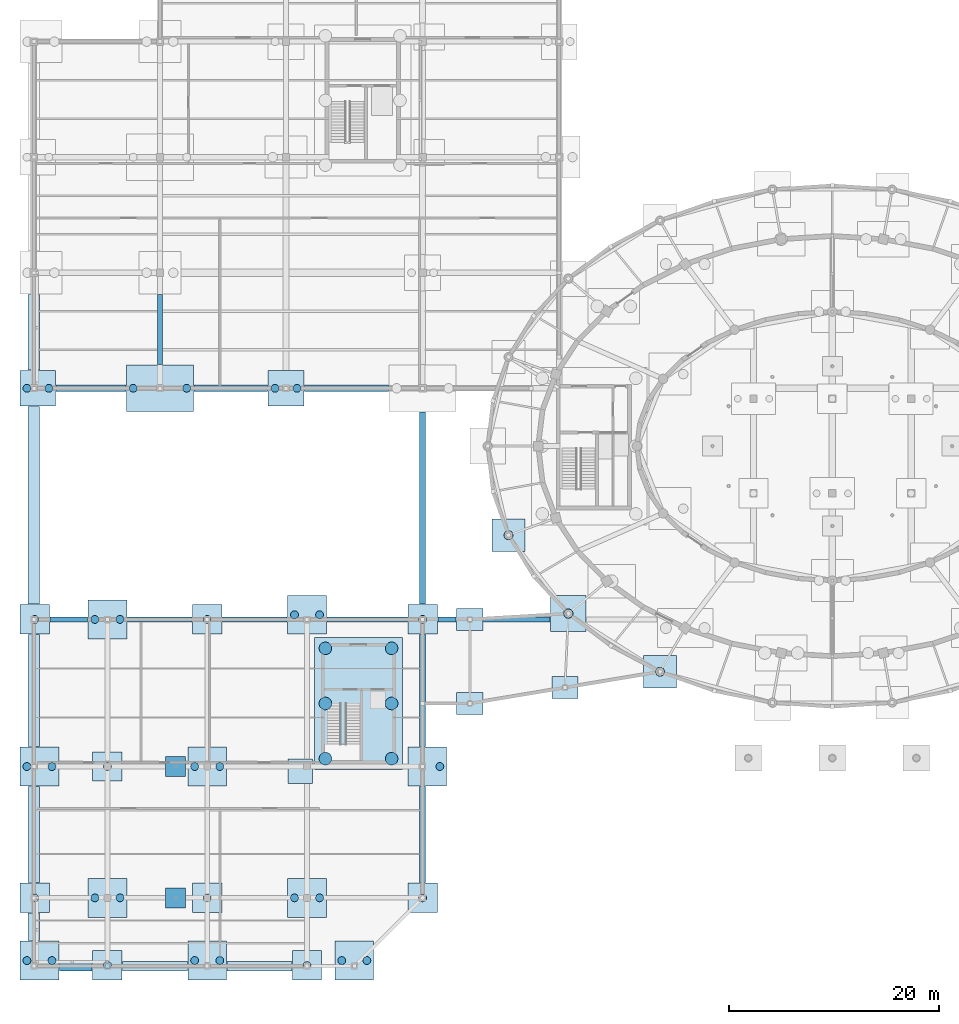
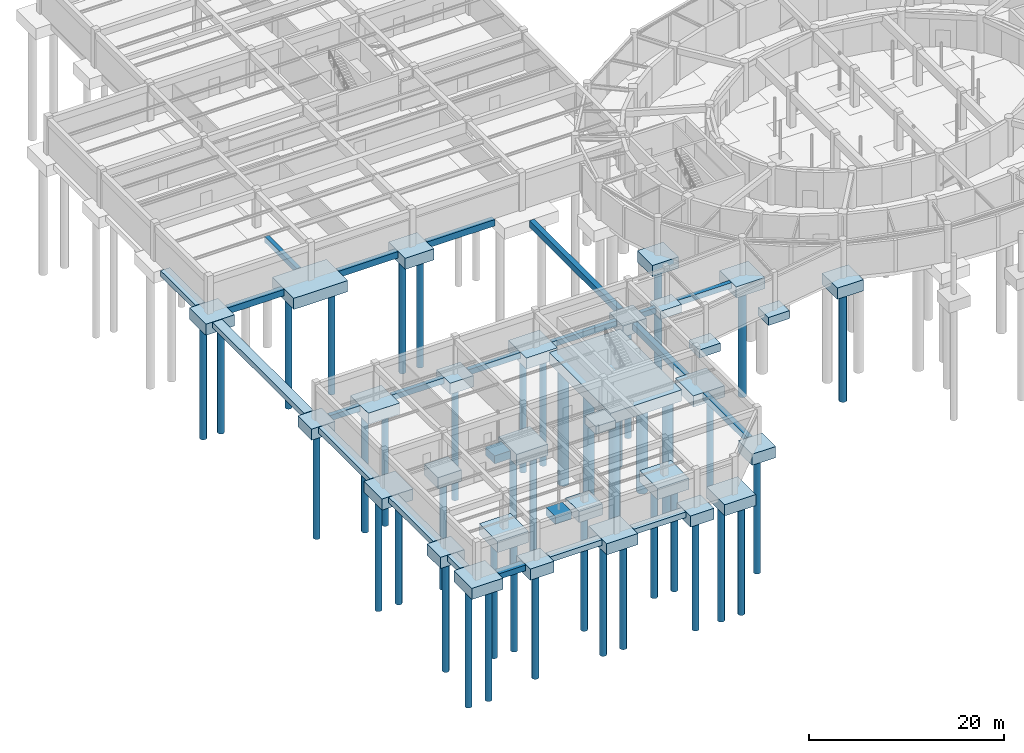
# One storey, part 1 of 42: 53 footings, 43 piles.
"""IFC4 building model written with IfcOpenShell, lengths in metres."""

from ifc_helpers import new_model, si_unit, direction, frame, origin, origin_2d, place, context, subcontext, project, spatial, polyline, rectangle, circle, outline, extrude, material, material_profile, profile_set, type_object, element, save


model = new_model("IFC4")

# Units and contexts
model_context = context("Model", 3, precision=1e-05, world=origin(), true_north=direction((0.0, 1.0)))
body_context = subcontext(model_context, "Body", "Model", "MODEL_VIEW")
ifc_project = project(units=[si_unit("LENGTHUNIT", "METRE"), si_unit("AREAUNIT", "SQUARE_METRE"), si_unit("VOLUMEUNIT", "CUBIC_METRE"), si_unit("PLANEANGLEUNIT", "RADIAN"), si_unit("MASSUNIT", "GRAM", prefix="KILO")], contexts=[model_context])

# Site, building, storey
site_placement = place(None, origin())
site = spatial("IfcSite", under=ifc_project, at=site_placement, CompositionType="ELEMENT")
building_placement = place(site_placement, origin())
building = spatial("IfcBuilding", under=site, at=building_placement, Name="Tarnveldt Headland Concert Hall", CompositionType="ELEMENT")
storey_placement = place(building_placement, frame((0.0, 0.0, -4.800048828125)))
storey = spatial("IfcBuildingStorey", under=building, at=storey_placement, Name="B1", CompositionType="ELEMENT", Elevation=-4.800048828125)

# Footings
ifc_material = material(Name="Concrete C40/50", Category="concrete")
footing_type_1 = type_object("IfcFootingType", Name="FB-01", PredefinedType="FOOTING_BEAM", material=ifc_material)
footing_1_placement = place(storey_placement, frame((0.0, 0.0, -0.699951171875)))
element("IfcFooting", 1, at=footing_1_placement, inside=storey, type_object=footing_type_1, Name="Foundation tie beam 4", PredefinedType="FOOTING_BEAM", context=body_context, shape_type="SweptSolid", body=[
    extrude(outline(polyline([(12.60009765625, 37.75), (12.60009765625, 38.25), (9.030029296875, 38.25), (9.030029296875, 37.75), (12.60009765625, 37.75)])), origin(), (0.0, 0.0, 1.0), 0.699951171875),
])
footing_2_placement = place(storey_placement, frame((0.0, 0.0, -0.699951171875)))
element("IfcFooting", 2, at=footing_2_placement, inside=storey, type_object=footing_type_1, Name="Foundation tie beam 5", PredefinedType="FOOTING_BEAM", context=body_context, shape_type="SweptSolid", body=[
    extrude(outline(polyline([(22.550048828125, 37.75), (22.550048828125, 38.25), (16.39990234375, 38.25), (16.39990234375, 37.75), (22.550048828125, 37.75)])), origin(), (0.0, 0.0, 1.0), 0.699951171875),
])
footing_3_placement = place(storey_placement, frame((0.0, 0.0, -0.699951171875)))
element("IfcFooting", 3, at=footing_3_placement, inside=storey, type_object=footing_type_1, Name="Foundation tie beam 6", PredefinedType="FOOTING_BEAM", context=body_context, shape_type="SweptSolid", body=[
    extrude(outline(polyline([(31.60009765625, 37.75), (31.60009765625, 38.25), (25.449951171875, 38.25), (25.449951171875, 37.75), (31.60009765625, 37.75)])), origin(), (0.0, 0.0, 1.0), 0.699951171875),
])
footing_4_placement = place(storey_placement, frame((0.0, 0.0, -0.699951171875)))
element("IfcFooting", 4, at=footing_4_placement, inside=storey, type_object=footing_type_1, Name="Foundation tie beam 7", PredefinedType="FOOTING_BEAM", context=body_context, shape_type="SweptSolid", body=[
    extrude(outline(polyline([(43.050048828125, 37.75), (43.050048828125, 38.25), (35.39990234375, 38.25), (35.39990234375, 37.75), (43.050048828125, 37.75)])), origin(), (0.0, 0.0, 1.0), 0.699951171875),
])
footing_5_placement = place(storey_placement, frame((0.0, 0.0, -0.699951171875)))
element("IfcFooting", 5, at=footing_5_placement, inside=storey, type_object=footing_type_1, Name="Foundation tie beam 8", PredefinedType="FOOTING_BEAM", context=body_context, shape_type="SweptSolid", body=[
    extrude(outline(polyline([(47.699951171875, 37.75), (47.699951171875, 38.25), (45.949951171875, 38.25), (45.949951171875, 37.75), (47.699951171875, 37.75)])), origin(), (0.0, 0.0, 1.0), 0.699951171875),
])
footing_6_placement = place(storey_placement, frame((0.0, 0.0, -0.699951171875)))
element("IfcFooting", 6, at=footing_6_placement, inside=storey, type_object=footing_type_1, Name="Foundation tie beam 9", PredefinedType="FOOTING_BEAM", context=body_context, shape_type="SweptSolid", body=[
    extrude(outline(polyline([(56.623779296875, 37.75), (56.623779296875, 38.25), (50.300048828125, 38.25), (50.300048828125, 37.75), (56.623779296875, 37.75)])), origin(), (0.0, 0.0, 1.0), 0.699951171875),
])
footing_7_placement = place(storey_placement, frame((0.0, 0.0, -0.699951171875)))
element("IfcFooting", 7, at=footing_7_placement, inside=storey, type_object=footing_type_1, Name="Foundation strip beam 30", PredefinedType="FOOTING_BEAM", context=body_context, shape_type="SweptSolid", body=[
    extrude(outline(polyline([(19.75, 62.25), (19.75, 68.949951171875), (19.25, 68.949951171875), (19.25, 62.25), (19.75, 62.25)])), origin(), (0.0, 0.0, 1.0), 0.699951171875),
])
footing_type_2 = type_object("IfcFootingType", Name="FB-02", PredefinedType="FOOTING_BEAM", material=ifc_material)
footing_8_placement = place(storey_placement, frame((0.0, 0.0, -0.800048828125)))
element("IfcFooting", 8, at=footing_8_placement, inside=storey, type_object=footing_type_2, Name="Foundation tie beam 14", PredefinedType="FOOTING_BEAM", context=body_context, shape_type="SweptSolid", body=[
    extrude(outline(polyline([(16.25, 59.699951171875), (16.25, 60.300048828125), (9.6298828125, 60.300048828125), (9.6298828125, 59.699951171875), (16.25, 59.699951171875)])), origin(), (0.0, 0.0, 1.0), 0.800048828125),
])
footing_9_placement = place(storey_placement, frame((0.0, 0.0, -0.800048828125)))
element("IfcFooting", 9, at=footing_9_placement, inside=storey, type_object=footing_type_2, Name="Foundation tie beam 15", PredefinedType="FOOTING_BEAM", context=body_context, shape_type="SweptSolid", body=[
    extrude(outline(polyline([(29.75, 59.699951171875), (29.75, 60.300048828125), (22.75, 60.300048828125), (22.75, 59.699951171875), (29.75, 59.699951171875)])), origin(), (0.0, 0.0, 1.0), 0.800048828125),
])
footing_10_placement = place(storey_placement, frame((0.0, 0.0, -0.800048828125)))
element("IfcFooting", 10, at=footing_10_placement, inside=storey, type_object=footing_type_2, Name="Foundation tie beam 16", PredefinedType="FOOTING_BEAM", context=body_context, shape_type="SweptSolid", body=[
    extrude(outline(polyline([(41.25, 59.699951171875), (41.25, 60.300048828125), (33.25, 60.300048828125), (33.25, 59.699951171875), (41.25, 59.699951171875)])), origin(), (0.0, 0.0, 1.0), 0.800048828125),
])
footing_11_placement = place(storey_placement, frame((0.0, 0.0, -0.800048828125)))
element("IfcFooting", 11, at=footing_11_placement, inside=storey, type_object=footing_type_2, Name="Foundation strip beam 35", PredefinedType="FOOTING_BEAM", context=body_context, shape_type="SweptSolid", body=[
    extrude(outline(polyline([(44.800048828125, 12.949951171875), (44.800048828125, 22.10009765625), (44.199951171875, 22.10009765625), (44.199951171875, 12.949951171875), (44.800048828125, 12.949951171875)])), origin(), (0.0, 0.0, 1.0), 0.800048828125),
])
footing_12_placement = place(storey_placement, frame((0.0, 0.0, -0.800048828125)))
element("IfcFooting", 12, at=footing_12_placement, inside=storey, type_object=footing_type_2, Name="Foundation strip beam 36", PredefinedType="FOOTING_BEAM", context=body_context, shape_type="SweptSolid", body=[
    extrude(outline(polyline([(44.800048828125, 25.89990234375), (44.800048828125, 36.550048828125), (44.199951171875, 36.550048828125), (44.199951171875, 25.89990234375), (44.800048828125, 25.89990234375)])), origin(), (0.0, 0.0, 1.0), 0.800048828125),
])
footing_13_placement = place(storey_placement, frame((0.0, 0.0, -0.800048828125)))
element("IfcFooting", 13, at=footing_13_placement, inside=storey, type_object=footing_type_2, Name="Foundation strip beam 37", PredefinedType="FOOTING_BEAM", context=body_context, shape_type="SweptSolid", body=[
    extrude(outline(polyline([(44.800048828125, 39.449951171875), (44.800048828125, 57.75), (44.199951171875, 57.75), (44.199951171875, 39.449951171875), (44.800048828125, 39.449951171875)])), origin(), (0.0, 0.0, 1.0), 0.800048828125),
])
footing_type_3 = type_object("IfcFootingType", Name="PC-02", PredefinedType="PILE_CAP", material=ifc_material)
for number, where, z_axis, x_axis, name in (
    (14, (14.5, 5.080078125, -1.39990234375), (0.0, 0.0, 1.0), (1.0, 0.0, 0.0), "Foundation V4C02"),
    (15, (33.5, 5.080078125, -1.39990234375), (0.0, 0.0, 1.0), (1.0, 0.0, 0.0), "Foundation V4C04"),
    (16, (44.5, 11.5, -1.39990234375), (0.0, 0.0, 1.0), (1.0, 0.0, 0.0), "Foundation V4C06"),
    (17, (44.5, 38.0, -1.39990234375), (0.0, 0.0, 1.0), (1.0, 0.0, 0.0), "Foundation V4C08"),
    (18, (24.0, 38.0, -1.39990234375), (0.0, 0.0, 1.0), (1.0, 0.0, 0.0), "Foundation V4C10"),
    (19, (7.580078125, 38.0, -1.39990234375), (0.0, 0.0, 1.0), (1.0, 0.0, 0.0), "Foundation V4C12"),
    (20, (7.580078125, 11.5, -1.39990234375), (0.0, 0.0, 1.0), (1.0, 0.0, 0.0), "Foundation V4C14"),
    (21, (24.0, 11.5, -1.39990234375), (0.0, 0.0, 1.0), (1.0, 0.0, 0.0), "Foundation V4C16"),
    (22, (14.5, 24.0, -1.39990234375), (0.0, 0.0, 1.0), (1.0, 0.0, 0.0), "Foundation V4C18"),
):
    element("IfcFooting", number, at=place(storey_placement, frame(where, z_axis=z_axis, x_axis=x_axis)), inside=storey, type_object=footing_type_3, Name=name, PredefinedType="PILE_CAP", context=body_context, shape_type="SweptSolid", body=[
        extrude(rectangle(XDim=2.800048828125, YDim=2.800048828125, at=origin_2d()), origin(), (0.0, 0.0, 1.0), 1.39990234375),
    ])
footing_type_4 = type_object("IfcFootingType", Name="PC-03", PredefinedType="PILE_CAP", material=ifc_material)
for number, where, z_axis, x_axis, name in (
    (23, (52.677978515625, 46.017822265625, -1.39990234375), (0.0, 0.0, 1.0), (1.0, 0.0, 0.0), "Foundation V1C11"),
    (24, (67.10009765625, 33.022705078125, -1.39990234375), (0.0, 0.0, 1.0), (1.0, 0.0, 0.0), "Foundation V1C13"),
):
    element("IfcFooting", number, at=place(storey_placement, frame(where, z_axis=z_axis, x_axis=x_axis)), inside=storey, type_object=footing_type_4, Name=name, PredefinedType="PILE_CAP", context=body_context, shape_type="SweptSolid", body=[
        extrude(rectangle(XDim=3.10009765625, YDim=3.10009765625, at=origin_2d()), origin(), (0.0, 0.0, 1.0), 1.39990234375),
    ])
footing_type_5 = type_object("IfcFootingType", Name="PC-04", PredefinedType="PILE_CAP", material=ifc_material)
for number, where, z_axis, x_axis, name in (
    (25, (58.373779296875, 38.558837890625, -1.39990234375), (0.0, 0.0, 1.0), (1.0, 0.0, 0.0), "Foundation V1C12"),
    (26, (7.8798828125, 60.0, -1.39990234375), (0.0, 0.0, 1.0), (1.0, 0.0, 0.0), "Foundation V5C01"),
    (27, (31.5, 60.0, -1.39990234375), (0.0, 0.0, 1.0), (1.0, 0.0, 0.0), "Foundation V5C11"),
):
    element("IfcFooting", number, at=place(storey_placement, frame(where, z_axis=z_axis, x_axis=x_axis)), inside=storey, type_object=footing_type_5, Name=name, PredefinedType="PILE_CAP", context=body_context, shape_type="SweptSolid", body=[
        extrude(rectangle(XDim=3.39990234375, YDim=3.39990234375, at=origin_2d()), origin(), (0.0, 0.0, 1.0), 1.39990234375),
    ])
footing_type_6 = type_object("IfcFootingType", Name="PC-05", PredefinedType="PILE_CAP", material=ifc_material)
for number, where, z_axis, x_axis, name in (
    (28, (8.030029296875, 5.530029296875, -1.39990234375), (0.0, 0.0, 1.0), (1.0, 0.0, 0.0), "Foundation V4C01"),
    (29, (24.0, 5.530029296875, -1.39990234375), (0.0, 0.0, 1.0), (1.0, 0.0, 0.0), "Foundation V4C03"),
    (30, (38.0, 5.530029296875, -1.39990234375), (0.0, 0.0, 1.0), (1.0, 0.0, 0.0), "Foundation V4C05"),
    (31, (44.949951171875, 24.0, -1.39990234375), (0.0, 0.0, 1.0), (1.0, 0.0, 0.0), "Foundation V4C07"),
    (32, (33.5, 38.449951171875, -1.39990234375), (0.0, 0.0, 1.0), (1.0, 0.0, 0.0), "Foundation V4C09"),
    (33, (14.5, 38.0, -1.39990234375), (0.0, 0.0, 1.0), (1.0, 0.0, 0.0), "Foundation V4C11"),
    (34, (8.030029296875, 24.0, -1.39990234375), (0.0, 0.0, 1.0), (1.0, 0.0, 0.0), "Foundation V4C13"),
    (35, (14.5, 11.5, -1.39990234375), (0.0, 0.0, 1.0), (1.0, 0.0, 0.0), "Foundation V4C15"),
    (36, (33.5, 11.5, -1.39990234375), (0.0, 0.0, 1.0), (1.0, 0.0, 0.0), "Foundation V4C17"),
    (37, (24.0, 24.0, -1.39990234375), (0.0, 0.0, 1.0), (1.0, 0.0, 0.0), "Foundation V4C19"),
):
    element("IfcFooting", number, at=place(storey_placement, frame(where, z_axis=z_axis, x_axis=x_axis)), inside=storey, type_object=footing_type_6, Name=name, PredefinedType="PILE_CAP", context=body_context, shape_type="SweptSolid", body=[
        extrude(rectangle(XDim=3.699951171875, YDim=3.699951171875, at=origin_2d()), origin(), (0.0, 0.0, 1.0), 1.39990234375),
    ])
footing_type_7 = type_object("IfcFootingType", Name="PC-12", PredefinedType="PILE_CAP", material=ifc_material)
footing_14_placement = place(storey_placement, frame((19.5, 60.0, -1.39990234375), z_axis=(0.0, 0.0, 1.0), x_axis=(1.0, 0.0, 0.0)))
element("IfcFooting", 38, at=footing_14_placement, inside=storey, type_object=footing_type_7, Name="Foundation V5C05", PredefinedType="PILE_CAP", context=body_context, shape_type="SweptSolid", body=[
    extrude(rectangle(XDim=6.39990234375, YDim=4.39990234375, at=origin_2d()), origin(), (0.0, 0.0, 1.0), 1.39990234375),
])
footing_type_8 = type_object("IfcFootingType", Name="PC-18", PredefinedType="PILE_CAP", material=ifc_material)
footing_15_placement = place(storey_placement, frame((38.39990234375, 30.0, -1.39990234375), z_axis=(0.0, 0.0, 1.0), x_axis=(1.0, 0.0, 0.0)))
element("IfcFooting", 39, at=footing_15_placement, inside=storey, type_object=footing_type_8, Name="Core C5 pile cap", PredefinedType="PILE_CAP", context=body_context, shape_type="SweptSolid", body=[
    extrude(rectangle(XDim=8.39990234375, YDim=12.60009765625, at=origin_2d()), origin(), (0.0, 0.0, 1.0), 1.39990234375),
])
footing_type_9 = type_object("IfcFootingType", Name="PF-01", PredefinedType="PAD_FOOTING", material=ifc_material)
for number, where, z_axis, x_axis, name in (
    (40, (21.0, 11.5, -1.0), (0.0, 0.0, 1.0), (1.0, 0.0, 0.0), "Chamber balcony pad footing 1"),
    (41, (21.0, 24.0, -1.0), (0.0, 0.0, 1.0), (1.0, 0.0, 0.0), "Chamber balcony pad footing 2"),
):
    element("IfcFooting", number, at=place(storey_placement, frame(where, z_axis=z_axis, x_axis=x_axis)), inside=storey, type_object=footing_type_9, Name=name, PredefinedType="PAD_FOOTING", context=body_context, shape_type="SweptSolid", body=[
        extrude(rectangle(XDim=1.89990234375, YDim=1.89990234375, at=origin_2d()), origin(), (0.0, 0.0, 1.0), 1.0),
    ])
footing_type_10 = type_object("IfcFootingType", Name="PF-03", PredefinedType="PAD_FOOTING", material=ifc_material)
footing_16_placement = place(storey_placement, frame((32.85009765625, 23.550048828125, -1.0), z_axis=(0.0, 0.0, 1.0), x_axis=(1.0, 0.0, 0.0)))
element("IfcFooting", 42, at=footing_16_placement, inside=storey, type_object=footing_type_10, Name="Foundation V4C20", PredefinedType="PAD_FOOTING", context=body_context, shape_type="SweptSolid", body=[
    extrude(rectangle(XDim=2.300048828125, YDim=2.300048828125, at=origin_2d()), origin(), (0.0, 0.0, 1.0), 1.0),
])
footing_type_11 = type_object("IfcFootingType", Name="PF-04", PredefinedType="PAD_FOOTING", material=ifc_material)
for number, where, z_axis, x_axis, name in (
    (43, (49.0, 30.0, -1.0), (0.0, 0.0, 1.0), (1.0, 0.0, 0.0), "Foundation V4LK01"),
    (44, (49.0, 38.0, -1.0), (0.0, 0.0, 1.0), (1.0, 0.0, 0.0), "Foundation V4LK02"),
    (45, (58.050048828125, 31.51123046875, -1.0), (0.0, 0.0, 1.0), (1.0, 0.0, 0.0), "Foundation V4LK03"),
):
    element("IfcFooting", number, at=place(storey_placement, frame(where, z_axis=z_axis, x_axis=x_axis)), inside=storey, type_object=footing_type_11, Name=name, PredefinedType="PAD_FOOTING", context=body_context, shape_type="SweptSolid", body=[
        extrude(rectangle(XDim=2.5, YDim=2.10009765625, at=origin_2d()), origin(), (0.0, 0.0, 1.0), 1.0),
    ])

# Piles
ifc_material_profile_1 = material_profile(ifc_material, circle(Radius=0.60009765625, at=origin_2d()), Name="BORED PILE D1200", Category="concrete")
ifc_profile_set_1 = profile_set([ifc_material_profile_1], Name="Concrete C40/50")
pile_type_1 = type_object("IfcPileType", Name="PL-1200", PredefinedType="BORED", material=ifc_profile_set_1)
for number, where, z_axis, x_axis, name in (
    (46, (35.25, 24.75, -1.300048828125), (0.0, 0.0, -1.0), (1.0, 0.0, 0.0), "Bored pile PILE-C5-01"),
    (47, (41.550048828125, 24.75, -1.300048828125), (0.0, 0.0, -1.0), (1.0, 0.0, 0.0), "Bored pile PILE-C5-02"),
    (48, (35.25, 30.0, -1.300048828125), (0.0, 0.0, -1.0), (1.0, 0.0, 0.0), "Bored pile PILE-C5-03"),
    (49, (41.550048828125, 30.0, -1.300048828125), (0.0, 0.0, -1.0), (1.0, 0.0, 0.0), "Bored pile PILE-C5-04"),
    (50, (35.25, 35.25, -1.300048828125), (0.0, 0.0, -1.0), (1.0, 0.0, 0.0), "Bored pile PILE-C5-05"),
    (51, (41.550048828125, 35.25, -1.300048828125), (0.0, 0.0, -1.0), (1.0, 0.0, 0.0), "Bored pile PILE-C5-06"),
):
    element("IfcPile", number, at=place(storey_placement, frame(where, z_axis=z_axis, x_axis=x_axis)), inside=storey, type_object=pile_type_1, Name=name, PredefinedType="BORED", context=body_context, shape_type="SweptSolid", body=[
        extrude(circle(Radius=0.60009765625, at=origin_2d()), origin(), (0.0, 0.0, 1.0), 14.800048828125),
    ])
ifc_material_profile_2 = material_profile(ifc_material, circle(Radius=0.375, at=origin_2d()), Name="BORED PILE D750", Category="concrete")
ifc_profile_set_2 = profile_set([ifc_material_profile_2], Name="Concrete C40/50")
pile_type_2 = type_object("IfcPileType", Name="PL-750", PredefinedType="BORED", material=ifc_profile_set_2)
for number, where, z_axis, x_axis, name in (
    (52, (6.8349609375, 5.530029296875, -1.300048828125), (0.0, 0.0, -1.0), (1.0, 0.0, 0.0), "Bored pile PILE-V4C01-01"),
    (53, (9.22509765625, 5.530029296875, -1.300048828125), (0.0, 0.0, -1.0), (1.0, 0.0, 0.0), "Bored pile PILE-V4C01-02"),
):
    element("IfcPile", number, at=place(storey_placement, frame(where, z_axis=z_axis, x_axis=x_axis)), inside=storey, type_object=pile_type_2, Name=name, PredefinedType="BORED", context=body_context, shape_type="SweptSolid", body=[
        extrude(circle(Radius=0.375, at=origin_2d()), origin(), (0.0, 0.0, 1.0), 14.800048828125),
    ])
pile_1_placement = place(storey_placement, frame((14.5, 5.080078125, -1.300048828125), z_axis=(0.0, 0.0, -1.0), x_axis=(1.0, 0.0, 0.0)))
element("IfcPile", 54, at=pile_1_placement, inside=storey, type_object=pile_type_2, Name="Bored pile PILE-V4C02-01", PredefinedType="BORED", context=body_context, shape_type="SweptSolid", body=[
    extrude(circle(Radius=0.375, at=origin_2d()), origin(), (0.0, 0.0, 1.0), 13.60009765625),
])
for number, where, z_axis, x_axis, name in (
    (55, (22.804931640625, 5.530029296875, -1.300048828125), (0.0, 0.0, -1.0), (1.0, 0.0, 0.0), "Bored pile PILE-V4C03-01"),
    (56, (25.195068359375, 5.530029296875, -1.300048828125), (0.0, 0.0, -1.0), (1.0, 0.0, 0.0), "Bored pile PILE-V4C03-02"),
):
    element("IfcPile", number, at=place(storey_placement, frame(where, z_axis=z_axis, x_axis=x_axis)), inside=storey, type_object=pile_type_2, Name=name, PredefinedType="BORED", context=body_context, shape_type="SweptSolid", body=[
        extrude(circle(Radius=0.375, at=origin_2d()), origin(), (0.0, 0.0, 1.0), 13.89990234375),
    ])
pile_2_placement = place(storey_placement, frame((33.5, 5.080078125, -1.300048828125), z_axis=(0.0, 0.0, -1.0), x_axis=(1.0, 0.0, 0.0)))
element("IfcPile", 57, at=pile_2_placement, inside=storey, type_object=pile_type_2, Name="Bored pile PILE-V4C04-01", PredefinedType="BORED", context=body_context, shape_type="SweptSolid", body=[
    extrude(circle(Radius=0.375, at=origin_2d()), origin(), (0.0, 0.0, 1.0), 14.199951171875),
])
for number, where, z_axis, x_axis, name in (
    (58, (36.804931640625, 5.530029296875, -1.300048828125), (0.0, 0.0, -1.0), (1.0, 0.0, 0.0), "Bored pile PILE-V4C05-01"),
    (59, (39.195068359375, 5.530029296875, -1.300048828125), (0.0, 0.0, -1.0), (1.0, 0.0, 0.0), "Bored pile PILE-V4C05-02"),
):
    element("IfcPile", number, at=place(storey_placement, frame(where, z_axis=z_axis, x_axis=x_axis)), inside=storey, type_object=pile_type_2, Name=name, PredefinedType="BORED", context=body_context, shape_type="SweptSolid", body=[
        extrude(circle(Radius=0.375, at=origin_2d()), origin(), (0.0, 0.0, 1.0), 14.5),
    ])
pile_3_placement = place(storey_placement, frame((44.5, 11.5, -1.300048828125), z_axis=(0.0, 0.0, -1.0), x_axis=(1.0, 0.0, 0.0)))
element("IfcPile", 60, at=pile_3_placement, inside=storey, type_object=pile_type_2, Name="Bored pile PILE-V4C06-01", PredefinedType="BORED", context=body_context, shape_type="SweptSolid", body=[
    extrude(circle(Radius=0.375, at=origin_2d()), origin(), (0.0, 0.0, 1.0), 14.800048828125),
])
pile_4_placement = place(storey_placement, frame((46.14501953125, 24.0, -1.300048828125), z_axis=(0.0, 0.0, -1.0), x_axis=(1.0, 0.0, 0.0)))
element("IfcPile", 61, at=pile_4_placement, inside=storey, type_object=pile_type_2, Name="Bored pile PILE-V4C07-01", PredefinedType="BORED", context=body_context, shape_type="SweptSolid", body=[
    extrude(circle(Radius=0.375, at=origin_2d()), origin(), (0.0, 0.0, 1.0), 13.60009765625),
])
pile_5_placement = place(storey_placement, frame((44.5, 38.0, -1.300048828125), z_axis=(0.0, 0.0, -1.0), x_axis=(1.0, 0.0, 0.0)))
element("IfcPile", 62, at=pile_5_placement, inside=storey, type_object=pile_type_2, Name="Bored pile PILE-V4C08-01", PredefinedType="BORED", context=body_context, shape_type="SweptSolid", body=[
    extrude(circle(Radius=0.375, at=origin_2d()), origin(), (0.0, 0.0, 1.0), 13.89990234375),
])
for number, where, z_axis, x_axis, name in (
    (63, (32.304931640625, 38.449951171875, -1.300048828125), (0.0, 0.0, -1.0), (1.0, 0.0, 0.0), "Bored pile PILE-V4C09-01"),
    (64, (34.695068359375, 38.449951171875, -1.300048828125), (0.0, 0.0, -1.0), (1.0, 0.0, 0.0), "Bored pile PILE-V4C09-02"),
):
    element("IfcPile", number, at=place(storey_placement, frame(where, z_axis=z_axis, x_axis=x_axis)), inside=storey, type_object=pile_type_2, Name=name, PredefinedType="BORED", context=body_context, shape_type="SweptSolid", body=[
        extrude(circle(Radius=0.375, at=origin_2d()), origin(), (0.0, 0.0, 1.0), 14.199951171875),
    ])
pile_6_placement = place(storey_placement, frame((24.0, 38.0, -1.300048828125), z_axis=(0.0, 0.0, -1.0), x_axis=(1.0, 0.0, 0.0)))
element("IfcPile", 65, at=pile_6_placement, inside=storey, type_object=pile_type_2, Name="Bored pile PILE-V4C10-01", PredefinedType="BORED", context=body_context, shape_type="SweptSolid", body=[
    extrude(circle(Radius=0.375, at=origin_2d()), origin(), (0.0, 0.0, 1.0), 14.5),
])
for number, where, z_axis, x_axis, name in (
    (66, (13.304931640625, 38.0, -1.300048828125), (0.0, 0.0, -1.0), (1.0, 0.0, 0.0), "Bored pile PILE-V4C11-01"),
    (67, (15.695068359375, 38.0, -1.300048828125), (0.0, 0.0, -1.0), (1.0, 0.0, 0.0), "Bored pile PILE-V4C11-02"),
):
    element("IfcPile", number, at=place(storey_placement, frame(where, z_axis=z_axis, x_axis=x_axis)), inside=storey, type_object=pile_type_2, Name=name, PredefinedType="BORED", context=body_context, shape_type="SweptSolid", body=[
        extrude(circle(Radius=0.375, at=origin_2d()), origin(), (0.0, 0.0, 1.0), 14.800048828125),
    ])
pile_7_placement = place(storey_placement, frame((7.580078125, 38.0, -1.300048828125), z_axis=(0.0, 0.0, -1.0), x_axis=(1.0, 0.0, 0.0)))
element("IfcPile", 68, at=pile_7_placement, inside=storey, type_object=pile_type_2, Name="Bored pile PILE-V4C12-01", PredefinedType="BORED", context=body_context, shape_type="SweptSolid", body=[
    extrude(circle(Radius=0.375, at=origin_2d()), origin(), (0.0, 0.0, 1.0), 13.60009765625),
])
for number, where, z_axis, x_axis, name in (
    (69, (6.8349609375, 24.0, -1.300048828125), (0.0, 0.0, -1.0), (1.0, 0.0, 0.0), "Bored pile PILE-V4C13-01"),
    (70, (9.22509765625, 24.0, -1.300048828125), (0.0, 0.0, -1.0), (1.0, 0.0, 0.0), "Bored pile PILE-V4C13-02"),
):
    element("IfcPile", number, at=place(storey_placement, frame(where, z_axis=z_axis, x_axis=x_axis)), inside=storey, type_object=pile_type_2, Name=name, PredefinedType="BORED", context=body_context, shape_type="SweptSolid", body=[
        extrude(circle(Radius=0.375, at=origin_2d()), origin(), (0.0, 0.0, 1.0), 13.89990234375),
    ])
pile_8_placement = place(storey_placement, frame((7.580078125, 11.5, -1.300048828125), z_axis=(0.0, 0.0, -1.0), x_axis=(1.0, 0.0, 0.0)))
element("IfcPile", 71, at=pile_8_placement, inside=storey, type_object=pile_type_2, Name="Bored pile PILE-V4C14-01", PredefinedType="BORED", context=body_context, shape_type="SweptSolid", body=[
    extrude(circle(Radius=0.375, at=origin_2d()), origin(), (0.0, 0.0, 1.0), 14.199951171875),
])
for number, where, z_axis, x_axis, name in (
    (72, (13.304931640625, 11.5, -1.300048828125), (0.0, 0.0, -1.0), (1.0, 0.0, 0.0), "Bored pile PILE-V4C15-01"),
    (73, (15.695068359375, 11.5, -1.300048828125), (0.0, 0.0, -1.0), (1.0, 0.0, 0.0), "Bored pile PILE-V4C15-02"),
):
    element("IfcPile", number, at=place(storey_placement, frame(where, z_axis=z_axis, x_axis=x_axis)), inside=storey, type_object=pile_type_2, Name=name, PredefinedType="BORED", context=body_context, shape_type="SweptSolid", body=[
        extrude(circle(Radius=0.375, at=origin_2d()), origin(), (0.0, 0.0, 1.0), 14.5),
    ])
pile_9_placement = place(storey_placement, frame((24.0, 11.5, -1.300048828125), z_axis=(0.0, 0.0, -1.0), x_axis=(1.0, 0.0, 0.0)))
element("IfcPile", 74, at=pile_9_placement, inside=storey, type_object=pile_type_2, Name="Bored pile PILE-V4C16-01", PredefinedType="BORED", context=body_context, shape_type="SweptSolid", body=[
    extrude(circle(Radius=0.375, at=origin_2d()), origin(), (0.0, 0.0, 1.0), 14.800048828125),
])
for number, where, z_axis, x_axis, name in (
    (75, (32.304931640625, 11.5, -1.300048828125), (0.0, 0.0, -1.0), (1.0, 0.0, 0.0), "Bored pile PILE-V4C17-01"),
    (76, (34.695068359375, 11.5, -1.300048828125), (0.0, 0.0, -1.0), (1.0, 0.0, 0.0), "Bored pile PILE-V4C17-02"),
):
    element("IfcPile", number, at=place(storey_placement, frame(where, z_axis=z_axis, x_axis=x_axis)), inside=storey, type_object=pile_type_2, Name=name, PredefinedType="BORED", context=body_context, shape_type="SweptSolid", body=[
        extrude(circle(Radius=0.375, at=origin_2d()), origin(), (0.0, 0.0, 1.0), 13.60009765625),
    ])
pile_10_placement = place(storey_placement, frame((14.5, 24.0, -1.300048828125), z_axis=(0.0, 0.0, -1.0), x_axis=(1.0, 0.0, 0.0)))
element("IfcPile", 77, at=pile_10_placement, inside=storey, type_object=pile_type_2, Name="Bored pile PILE-V4C18-01", PredefinedType="BORED", context=body_context, shape_type="SweptSolid", body=[
    extrude(circle(Radius=0.375, at=origin_2d()), origin(), (0.0, 0.0, 1.0), 13.89990234375),
])
for number, where, z_axis, x_axis, name in (
    (78, (22.804931640625, 24.0, -1.300048828125), (0.0, 0.0, -1.0), (1.0, 0.0, 0.0), "Bored pile PILE-V4C19-01"),
    (79, (25.195068359375, 24.0, -1.300048828125), (0.0, 0.0, -1.0), (1.0, 0.0, 0.0), "Bored pile PILE-V4C19-02"),
    (80, (6.8349609375, 60.0, -1.300048828125), (0.0, 0.0, -1.0), (1.0, 0.0, 0.0), "Bored pile PILE-V5C01-01"),
    (81, (8.925048828125, 60.0, -1.300048828125), (0.0, 0.0, -1.0), (1.0, 0.0, 0.0), "Bored pile PILE-V5C01-02"),
):
    element("IfcPile", number, at=place(storey_placement, frame(where, z_axis=z_axis, x_axis=x_axis)), inside=storey, type_object=pile_type_2, Name=name, PredefinedType="BORED", context=body_context, shape_type="SweptSolid", body=[
        extrude(circle(Radius=0.375, at=origin_2d()), origin(), (0.0, 0.0, 1.0), 14.199951171875),
    ])
for number, where, z_axis, x_axis, name in (
    (82, (16.955078125, 60.0, -1.300048828125), (0.0, 0.0, -1.0), (1.0, 0.0, 0.0), "Bored pile PILE-V5C05-01"),
    (83, (22.044921875, 60.0, -1.300048828125), (0.0, 0.0, -1.0), (1.0, 0.0, 0.0), "Bored pile PILE-V5C05-02"),
):
    element("IfcPile", number, at=place(storey_placement, frame(where, z_axis=z_axis, x_axis=x_axis)), inside=storey, type_object=pile_type_2, Name=name, PredefinedType="BORED", context=body_context, shape_type="SweptSolid", body=[
        extrude(circle(Radius=0.375, at=origin_2d()), origin(), (0.0, 0.0, 1.0), 13.89990234375),
    ])
for number, where, z_axis, x_axis, name in (
    (84, (30.455078125, 60.0, -1.300048828125), (0.0, 0.0, -1.0), (1.0, 0.0, 0.0), "Bored pile PILE-V5C11-01"),
    (85, (32.544921875, 60.0, -1.300048828125), (0.0, 0.0, -1.0), (1.0, 0.0, 0.0), "Bored pile PILE-V5C11-02"),
):
    element("IfcPile", number, at=place(storey_placement, frame(where, z_axis=z_axis, x_axis=x_axis)), inside=storey, type_object=pile_type_2, Name=name, PredefinedType="BORED", context=body_context, shape_type="SweptSolid", body=[
        extrude(circle(Radius=0.375, at=origin_2d()), origin(), (0.0, 0.0, 1.0), 14.199951171875),
    ])
ifc_material_profile_3 = material_profile(ifc_material, circle(Radius=0.425048828125, at=origin_2d()), Name="BORED PILE D850", Category="concrete")
ifc_profile_set_3 = profile_set([ifc_material_profile_3], Name="Concrete C40/50")
pile_type_3 = type_object("IfcPileType", Name="PL-850", PredefinedType="BORED", material=ifc_profile_set_3)
pile_11_placement = place(storey_placement, frame((52.677978515625, 46.017822265625, -1.300048828125), z_axis=(0.0, 0.0, -1.0), x_axis=(1.0, 0.0, 0.0)))
element("IfcPile", 86, at=pile_11_placement, inside=storey, type_object=pile_type_3, Name="Bored pile PILE-V1C11-01", PredefinedType="BORED", context=body_context, shape_type="SweptSolid", body=[
    extrude(circle(Radius=0.425048828125, at=origin_2d()), origin(), (0.0, 0.0, 1.0), 13.60009765625),
])
pile_12_placement = place(storey_placement, frame((67.10009765625, 33.022705078125, -1.300048828125), z_axis=(0.0, 0.0, -1.0), x_axis=(1.0, 0.0, 0.0)))
element("IfcPile", 87, at=pile_12_placement, inside=storey, type_object=pile_type_3, Name="Bored pile PILE-V1C13-01", PredefinedType="BORED", context=body_context, shape_type="SweptSolid", body=[
    extrude(circle(Radius=0.425048828125, at=origin_2d()), origin(), (0.0, 0.0, 1.0), 14.199951171875),
])
ifc_material_profile_4 = material_profile(ifc_material, circle(Radius=0.449951171875, at=origin_2d()), Name="BORED PILE D900", Category="concrete")
ifc_profile_set_4 = profile_set([ifc_material_profile_4], Name="Concrete C40/50")
pile_type_4 = type_object("IfcPileType", Name="PL-900", PredefinedType="BORED", material=ifc_profile_set_4)
pile_13_placement = place(storey_placement, frame((58.373779296875, 38.558837890625, -1.300048828125), z_axis=(0.0, 0.0, -1.0), x_axis=(1.0, 0.0, 0.0)))
element("IfcPile", 88, at=pile_13_placement, inside=storey, type_object=pile_type_4, Name="Bored pile PILE-V1C12-01", PredefinedType="BORED", context=body_context, shape_type="SweptSolid", body=[
    extrude(circle(Radius=0.449951171875, at=origin_2d()), origin(), (0.0, 0.0, 1.0), 13.89990234375),
])

# Footings
footing_type_12 = type_object("IfcFootingType", Name="SF-01", PredefinedType="STRIP_FOOTING", material=ifc_material)
footing_17_placement = place(storey_placement, frame((0.0, 0.0, -0.699951171875)))
element("IfcFooting", 89, at=footing_17_placement, inside=storey, type_object=footing_type_12, Name="Foundation tie beam 1", PredefinedType="STRIP_FOOTING", context=body_context, shape_type="SweptSolid", body=[
    extrude(outline(polyline([(13.050048828125, 4.550048828125), (13.050048828125, 5.449951171875), (9.929931640625, 5.449951171875), (9.929931640625, 4.550048828125), (13.050048828125, 4.550048828125)])), origin(), (0.0, 0.0, 1.0), 0.699951171875),
])
footing_18_placement = place(storey_placement, frame((0.0, 0.0, -0.699951171875)))
element("IfcFooting", 90, at=footing_18_placement, inside=storey, type_object=footing_type_12, Name="Foundation tie beam 2", PredefinedType="STRIP_FOOTING", context=body_context, shape_type="SweptSolid", body=[
    extrude(outline(polyline([(22.10009765625, 4.550048828125), (22.10009765625, 5.449951171875), (15.949951171875, 5.449951171875), (15.949951171875, 4.550048828125), (22.10009765625, 4.550048828125)])), origin(), (0.0, 0.0, 1.0), 0.699951171875),
])
footing_19_placement = place(storey_placement, frame((0.0, 0.0, -0.699951171875)))
element("IfcFooting", 91, at=footing_19_placement, inside=storey, type_object=footing_type_12, Name="Foundation tie beam 3", PredefinedType="STRIP_FOOTING", context=body_context, shape_type="SweptSolid", body=[
    extrude(outline(polyline([(32.050048828125, 4.550048828125), (32.050048828125, 5.449951171875), (25.89990234375, 5.449951171875), (25.89990234375, 4.550048828125), (32.050048828125, 4.550048828125)])), origin(), (0.0, 0.0, 1.0), 0.699951171875),
])
footing_type_13 = type_object("IfcFootingType", Name="SF-02", PredefinedType="STRIP_FOOTING", material=ifc_material)
footing_20_placement = place(storey_placement, frame((0.0, 0.0, -0.699951171875)))
element("IfcFooting", 92, at=footing_20_placement, inside=storey, type_object=footing_type_13, Name="Foundation strip beam 23", PredefinedType="STRIP_FOOTING", context=body_context, shape_type="SweptSolid", body=[
    extrude(outline(polyline([(8.050048828125, 7.429931640625), (8.050048828125, 10.050048828125), (6.949951171875, 10.050048828125), (6.949951171875, 7.429931640625), (8.050048828125, 7.429931640625)])), origin(), (0.0, 0.0, 1.0), 0.699951171875),
])
footing_21_placement = place(storey_placement, frame((0.0, 0.0, -0.699951171875)))
element("IfcFooting", 93, at=footing_21_placement, inside=storey, type_object=footing_type_13, Name="Foundation strip beam 24", PredefinedType="STRIP_FOOTING", context=body_context, shape_type="SweptSolid", body=[
    extrude(outline(polyline([(8.050048828125, 12.949951171875), (8.050048828125, 22.10009765625), (6.949951171875, 22.10009765625), (6.949951171875, 12.949951171875), (8.050048828125, 12.949951171875)])), origin(), (0.0, 0.0, 1.0), 0.699951171875),
])
footing_22_placement = place(storey_placement, frame((0.0, 0.0, -0.699951171875)))
element("IfcFooting", 94, at=footing_22_placement, inside=storey, type_object=footing_type_13, Name="Foundation strip beam 25", PredefinedType="STRIP_FOOTING", context=body_context, shape_type="SweptSolid", body=[
    extrude(outline(polyline([(8.050048828125, 25.89990234375), (8.050048828125, 36.550048828125), (6.949951171875, 36.550048828125), (6.949951171875, 25.89990234375), (8.050048828125, 25.89990234375)])), origin(), (0.0, 0.0, 1.0), 0.699951171875),
])
footing_23_placement = place(storey_placement, frame((0.0, 0.0, -0.699951171875)))
element("IfcFooting", 95, at=footing_23_placement, inside=storey, type_object=footing_type_13, Name="Foundation strip beam 26", PredefinedType="STRIP_FOOTING", context=body_context, shape_type="SweptSolid", body=[
    extrude(outline(polyline([(8.050048828125, 39.449951171875), (8.050048828125, 58.25), (6.949951171875, 58.25), (6.949951171875, 39.449951171875), (8.050048828125, 39.449951171875)])), origin(), (0.0, 0.0, 1.0), 0.699951171875),
])
footing_24_placement = place(storey_placement, frame((0.0, 0.0, -0.699951171875)))
element("IfcFooting", 96, at=footing_24_placement, inside=storey, type_object=footing_type_13, Name="Foundation strip beam 27", PredefinedType="STRIP_FOOTING", context=body_context, shape_type="SweptSolid", body=[
    extrude(outline(polyline([(8.050048828125, 61.75), (8.050048828125, 68.949951171875), (6.949951171875, 68.949951171875), (6.949951171875, 61.75), (8.050048828125, 61.75)])), origin(), (0.0, 0.0, 1.0), 0.699951171875),
])

save(model, "model.ifc")
